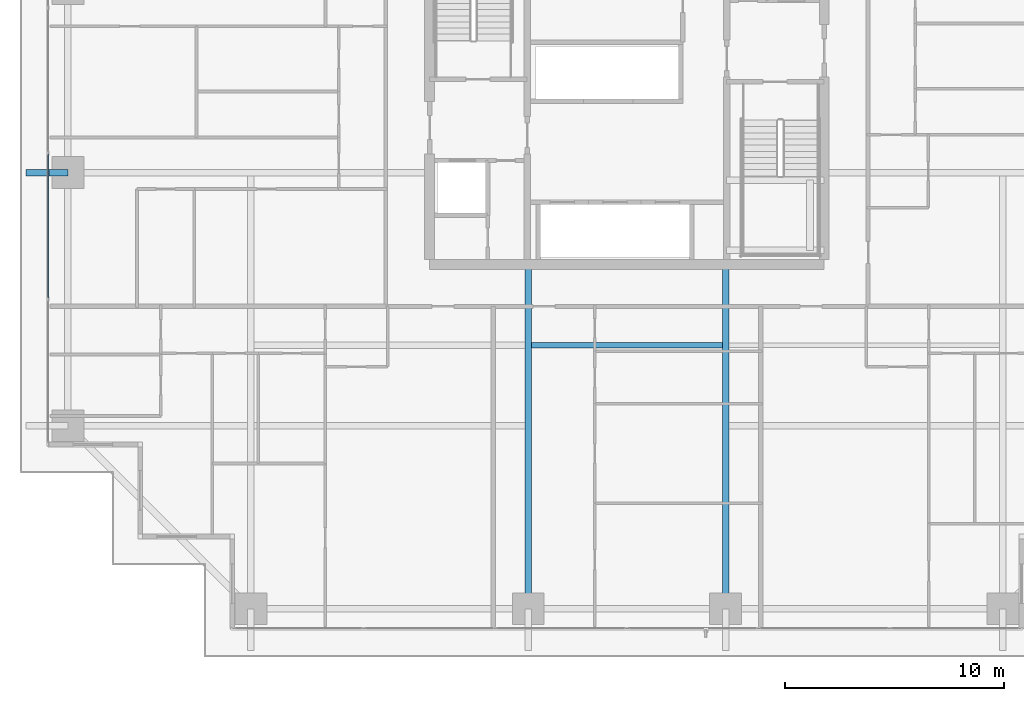
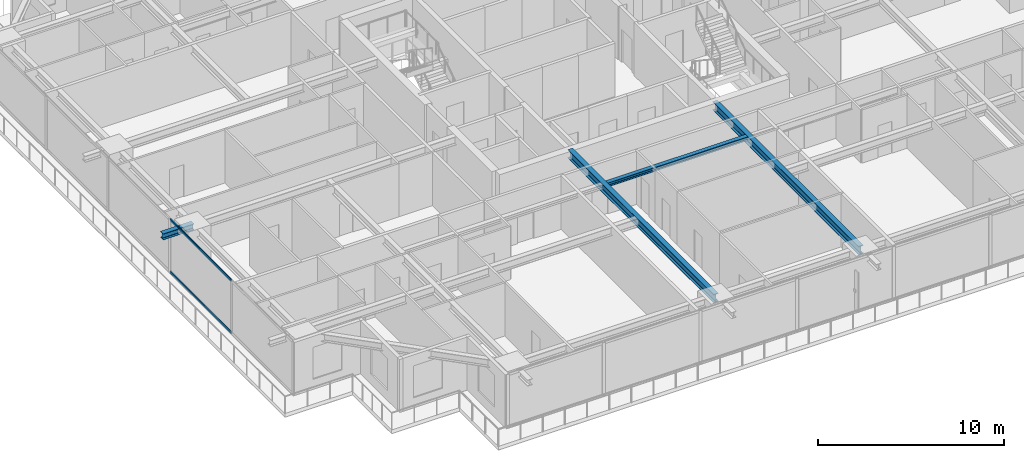
# One storey, part 6 of 38: 4 beams, 2 members, 1 element without a shape of its own.
"""IFC4 building model written with IfcOpenShell, lengths in metres."""

import ifcopenshell
import ifcopenshell.guid

model = None  # the IFC model being written
_history = None  # IfcOwnerHistory: only IFC2X3 demands one
_inside = {}  # id of a spatial element -> (the spatial element, [elements in it])
_under = {}  # id of a project, library or spatial element -> (it, [spatial elements below it])
_declared = {}  # id of a project -> (the project, [libraries it declares])
_typed = {}  # id of a type object -> (the type object, [elements of that type])
_made_of = {}  # id of a material, layer set ... -> (it, [elements and type objects made of it])


def new_model(schema):
    """Start an empty IFC model of exactly this schema.

    Asked for "IFC4X3", IfcOpenShell would pick the latest addendum, in which some entities
    have other attributes; the version numbers below select the first issue.
    IFC2X3 requires an IfcOwnerHistory on every rooted entity: one is made here for all.
    """
    global model, _history
    if schema == "IFC4X3":
        model = ifcopenshell.file(schema_version=(4, 3, 0, 0))
    else:
        model = ifcopenshell.file(schema=schema)
    _inside.clear()
    _under.clear()
    _declared.clear()
    _typed.clear()
    _made_of.clear()
    _history = None
    if model.schema == "IFC2X3":
        org = make("IfcOrganization", Name="unknown")
        user = make(
            "IfcPersonAndOrganization",
            ThePerson=make("IfcPerson", FamilyName="unknown"),
            TheOrganization=org,
        )
        app = make(
            "IfcApplication",
            ApplicationDeveloper=org,
            Version="unknown",
            ApplicationFullName="unknown",
            ApplicationIdentifier="unknown",
        )
        _history = make(
            "IfcOwnerHistory",
            OwningUser=user,
            OwningApplication=app,
            ChangeAction="ADDED",
            CreationDate=0,
        )
    return model


def make(cls, **values):
    """One entity of the class cls with the attributes given. An attribute that is None is left unset."""
    return model.create_entity(
        cls, **{name: value for name, value in values.items() if value is not None}
    )


def rooted(cls, **values):
    """An entity with a GlobalId (a new one), such as an element, a storey or a relation."""
    return make(cls, GlobalId=ifcopenshell.guid.new(), OwnerHistory=_history, **values)


def si_unit(unit_type, name, prefix=None):
    """IfcSIUnit, for example si_unit("LENGTHUNIT", "METRE", prefix="MILLI")."""
    return make("IfcSIUnit", UnitType=unit_type, Prefix=prefix, Name=name)


def assignment(units):
    """IfcUnitAssignment: the units of a project."""
    return None if units is None else make("IfcUnitAssignment", Units=units)


def point(xyz):
    """IfcCartesianPoint."""
    return None if xyz is None else make("IfcCartesianPoint", Coordinates=xyz)


def direction(xyz):
    """IfcDirection."""
    return None if xyz is None else make("IfcDirection", DirectionRatios=xyz)


def frame(location, z_axis=None, x_axis=None):
    """IfcAxis2Placement3D, a coordinate frame: its origin and axes. An axis left out is left unset."""
    return make(
        "IfcAxis2Placement3D",
        Location=point(location),
        Axis=direction(z_axis),
        RefDirection=direction(x_axis),
    )


def frame_2d(location, x_axis=None):
    """IfcAxis2Placement2D, a coordinate frame in the plane: its origin and x axis."""
    return make(
        "IfcAxis2Placement2D", Location=point(location), RefDirection=direction(x_axis)
    )


def origin():
    """The frame at (0, 0, 0) with its axes left unset."""
    return frame((0.0, 0.0, 0.0))


def origin_2d():
    """The frame at (0, 0) in the plane with its x axis left unset."""
    return frame_2d((0.0, 0.0))


def place(relative_to, where):
    """IfcLocalPlacement: puts the frame where relative to a parent placement (None: the world)."""
    return make(
        "IfcLocalPlacement", PlacementRelTo=relative_to, RelativePlacement=where
    )


def context(
    kind, dimensions, precision=None, world=None, true_north=None, identifier=None
):
    """IfcGeometricRepresentationContext, for example the 3D "Model" context."""
    return make(
        "IfcGeometricRepresentationContext",
        ContextIdentifier=identifier,
        ContextType=kind,
        CoordinateSpaceDimension=dimensions,
        Precision=precision,
        WorldCoordinateSystem=world,
        TrueNorth=true_north,
    )


def subcontext(parent, identifier, kind, view, scale=None):
    """IfcGeometricRepresentationSubContext, for example "Body" below "Model"."""
    return make(
        "IfcGeometricRepresentationSubContext",
        ContextIdentifier=identifier,
        ContextType=kind,
        ParentContext=parent,
        TargetScale=scale,
        TargetView=view,
    )


def project(units=None, contexts=None):
    """IfcProject with its units and contexts."""
    return rooted(
        "IfcProject",
        Name="project",
        RepresentationContexts=contexts,
        UnitsInContext=assignment(units),
    )


def spatial(cls, under=None, at=None, **own):
    """A site, building, storey or space (cls), placed at a placement, below another one or the project."""
    s = rooted(cls, ObjectPlacement=at, **own)
    if under is not None:
        _under.setdefault(under.id(), (under, []))[1].append(s)
    return s


def profile(cls, at=None, kind="AREA", **sizes):
    """A parametric profile (cls). Its sizes go by their IFC names, for example OverallWidth=200.0."""
    return make(cls, ProfileType=kind, Position=at, **sizes)


def hollow_rectangle(**sizes):
    """IfcRectangleHollowProfileDef."""
    return profile("IfcRectangleHollowProfileDef", **sizes)


def i_section(**sizes):
    """IfcIShapeProfileDef."""
    return profile("IfcIShapeProfileDef", **sizes)


def extrude(swept, where, along, depth):
    """IfcExtrudedAreaSolid: the profile swept, set in the frame where, extruded along a direction by depth."""
    return make(
        "IfcExtrudedAreaSolid",
        SweptArea=swept,
        Position=where,
        ExtrudedDirection=direction(along),
        Depth=depth,
    )


def shape(context_of_items, identifier, shape_type, items):
    """IfcShapeRepresentation: the items that make up one representation, for example the "Body"."""
    return make(
        "IfcShapeRepresentation",
        ContextOfItems=context_of_items,
        RepresentationIdentifier=identifier,
        RepresentationType=shape_type,
        Items=items,
    )


def source(mapping_origin, context_of_items, identifier, shape_type, items):
    """IfcRepresentationMap: a shape defined once, which mapped items show again and again."""
    return make(
        "IfcRepresentationMap",
        MappingOrigin=mapping_origin,
        MappedRepresentation=shape(context_of_items, identifier, shape_type, items),
    )


def transform(
    local_origin,
    x_axis=None,
    y_axis=None,
    z_axis=None,
    scale=None,
    scale2=None,
    scale3=None,
    uniform=True,
):
    """IfcCartesianTransformationOperator3D, or its non-uniform kind. x_axis, y_axis, z_axis: its Axis1, 2, 3."""
    if uniform:
        return make(
            "IfcCartesianTransformationOperator3D",
            Axis1=direction(x_axis),
            Axis2=direction(y_axis),
            LocalOrigin=point(local_origin),
            Scale=scale,
            Axis3=direction(z_axis),
        )
    return make(
        "IfcCartesianTransformationOperator3DnonUniform",
        Axis1=direction(x_axis),
        Axis2=direction(y_axis),
        LocalOrigin=point(local_origin),
        Scale=scale,
        Axis3=direction(z_axis),
        Scale2=scale2,
        Scale3=scale3,
    )


def mapped(mapping_source, mapping_target):
    """IfcMappedItem: shows the shape of a source again, moved by a transform."""
    return make(
        "IfcMappedItem", MappingSource=mapping_source, MappingTarget=mapping_target
    )


def material(Name=None, Category=None):
    """IfcMaterial."""
    return make("IfcMaterial", Name=Name, Category=Category)


def layer(
    of_material, thickness, ventilated=None, Name=None, Category=None, Priority=None
):
    """IfcMaterialLayer: one layer of a wall or slab, of a material (None: an air gap)."""
    return make(
        "IfcMaterialLayer",
        Material=of_material,
        LayerThickness=thickness,
        IsVentilated=ventilated,
        Name=Name,
        Category=Category,
        Priority=Priority,
    )


def layer_set(layers, Name=None):
    """IfcMaterialLayerSet."""
    return make("IfcMaterialLayerSet", MaterialLayers=layers, LayerSetName=Name)


def material_profile(
    of_material, cross_section, Name=None, Category=None, Priority=None
):
    """IfcMaterialProfile: a cross section and its material."""
    return make(
        "IfcMaterialProfile",
        Name=Name,
        Material=of_material,
        Profile=cross_section,
        Priority=Priority,
        Category=Category,
    )


def profile_set(profiles, Name=None, composite=None):
    """IfcMaterialProfileSet."""
    return make(
        "IfcMaterialProfileSet",
        Name=Name,
        MaterialProfiles=profiles,
        CompositeProfile=composite,
    )


def made_of(thing, what):
    """Note that an element or type object is made of a material, layer set ...; save() writes the relation."""
    if what is not None:
        _made_of.setdefault(what.id(), (what, []))[1].append(thing)
    return thing


def type_object(cls, material=None, **own):
    """A type object (cls), such as IfcWallType, which elements share."""
    return made_of(rooted(cls, **own), material)


def element(
    cls,
    number,
    at=None,
    inside=None,
    cuts=None,
    type_object=None,
    material=None,
    context=None,
    identifier="Body",
    shape_type=None,
    held_by="IfcProductDefinitionShape",
    body=None,
    shapes=None,
    **own,
):
    """One element of the class cls, such as IfcWall. Its Tag is "e" and its number.

    at: its placement. inside: the storey or other place that contains it. cuts: it is an
    opening in that element (IfcRelVoidsElement). A single representation is given by context,
    identifier, shape_type and body (its items); several are given by shapes. held_by: the class
    of the entity that holds the representations. save() writes the other relations.
    """
    e = rooted(cls, Tag="e%d" % number, ObjectPlacement=at, **own)
    if body is not None:
        shapes = [shape(context, identifier, shape_type, body)]
    if shapes is not None:
        e.Representation = make(held_by, Representations=shapes)
    if inside is not None:
        _inside.setdefault(inside.id(), (inside, []))[1].append(e)
    if cuts is not None:
        rooted(
            "IfcRelVoidsElement", RelatingBuildingElement=cuts, RelatedOpeningElement=e
        )
    if type_object is not None:
        _typed.setdefault(type_object.id(), (type_object, []))[1].append(e)
    return made_of(e, material)


def aggregate(whole, parts):
    """IfcRelAggregates: a whole, such as a stair, and the parts it consists of."""
    return rooted("IfcRelAggregates", RelatingObject=whole, RelatedObjects=parts)


def save(model, path):
    """Write the relations noted so far, then the file.

    IfcRelAggregates (storeys below a building ...), IfcRelContainedInSpatialStructure (elements
    in a storey), IfcRelDefinesByType, IfcRelAssociatesMaterial and IfcRelDeclares: one each for
    every whole, place, type object, material and project.
    """
    for whole, parts in _under.values():
        aggregate(whole, parts)
    for where, things in _inside.values():
        rooted(
            "IfcRelContainedInSpatialStructure",
            RelatedElements=things,
            RelatingStructure=where,
        )
    for kind, things in _typed.values():
        rooted("IfcRelDefinesByType", RelatedObjects=things, RelatingType=kind)
    for what, things in _made_of.values():
        rooted("IfcRelAssociatesMaterial", RelatedObjects=things, RelatingMaterial=what)
    for by, libraries in _declared.values():
        rooted("IfcRelDeclares", RelatingContext=by, RelatedDefinitions=libraries)
    model.write(path)


model = new_model("IFC4")

# Units and contexts
model_context = context("Model", 3, precision=1e-05, world=origin(), true_north=direction((0.0, 1.0)))
body_context = subcontext(model_context, "Body", "Model", "MODEL_VIEW")
ifc_project = project(units=[si_unit("LENGTHUNIT", "METRE"), si_unit("AREAUNIT", "SQUARE_METRE"), si_unit("VOLUMEUNIT", "CUBIC_METRE"), si_unit("PLANEANGLEUNIT", "RADIAN"), si_unit("MASSUNIT", "GRAM", prefix="KILO")], contexts=[model_context])

# Site, building, storey
site_placement = place(None, origin())
site = spatial("IfcSite", under=ifc_project, at=site_placement, CompositionType="ELEMENT")
building_placement = place(site_placement, origin())
building = spatial("IfcBuilding", under=site, at=building_placement, Name="Serunith Strait Residences", CompositionType="ELEMENT")
storey_placement = place(building_placement, frame((0.0, 0.0, 30.449951171875)))
storey = spatial("IfcBuildingStorey", under=building, at=storey_placement, Name="L06", CompositionType="ELEMENT", Elevation=30.449951171875)

# Beams
ifc_material_1 = material(Name="Steel S355J2", Category="steel")
ifc_material_profile_1 = material_profile(ifc_material_1, i_section(OverallWidth=0.300048828125, OverallDepth=0.550048828125, WebThickness=0.014892578125, FlangeThickness=0.029052734375, FilletRadius=0.027099609375, at=origin_2d()), Name="HEB 550")
ifc_profile_set_1 = profile_set([ifc_material_profile_1], Name="Steel S355J2")
beam_type_1 = type_object("IfcBeamType", Name="BM-HEB550", PredefinedType="BEAM", material=ifc_profile_set_1)
shared_shape_1 = source(origin(), body_context, "Body", "SweptSolid", [
    extrude(i_section(OverallWidth=0.300048828125, OverallDepth=0.550048828125, WebThickness=0.014892578125, FlangeThickness=0.029052734375, FilletRadius=0.027099609375, at=origin_2d()), origin(), (0.0, 0.0, 1.0), 15.699951171875),
])
for number, where, z_axis, x_axis, name in (
    (1, (27.89990234375, 16.800048828125, 3.212158203125), (0.0, -1.0, 0.0), (1.0, 0.0, 0.0), "L06 Primary Floor Girder TC-S2"),
    (2, (36.89990234375, 16.800048828125, 3.212158203125), (0.0, -1.0, 0.0), (1.0, 0.0, 0.0), "L06 Primary Floor Girder TC-S3"),
):
    element("IfcBeam", number, at=place(storey_placement, frame(where, z_axis=z_axis, x_axis=x_axis)), inside=storey, type_object=beam_type_1, Name=name, PredefinedType="BEAM", context=body_context, shape_type="MappedRepresentation", body=[
        mapped(shared_shape_1, transform((0.0, 0.0, 0.0), scale=1.0)),
    ])
ifc_material_profile_2 = material_profile(ifc_material_1, i_section(OverallWidth=0.260009765625, OverallDepth=0.260009765625, WebThickness=0.010009765625, FlangeThickness=0.017578125, FilletRadius=0.02392578125, at=origin_2d()), Name="HEB 260")
ifc_profile_set_2 = profile_set([ifc_material_profile_2], Name="Steel S355J2")
beam_type_2 = type_object("IfcBeamType", Name="BM-HEB260", PredefinedType="JOIST", material=ifc_profile_set_2)
shared_shape_2 = source(origin(), body_context, "Body", "SweptSolid", [
    extrude(i_section(OverallWidth=0.260009765625, OverallDepth=0.260009765625, WebThickness=0.010009765625, FlangeThickness=0.017578125, FilletRadius=0.02392578125, at=origin_2d()), origin(), (0.0, 0.0, 1.0), 8.699951171875),
])
beam_1_placement = place(storey_placement, frame((28.050048828125, 13.125, 3.35693359375), z_axis=(1.0, 0.0, 0.0), x_axis=(0.0, 1.0, 0.0)))
element("IfcBeam", 3, at=beam_1_placement, inside=storey, type_object=beam_type_2, Name="L06 Composite Floor Joist 02", PredefinedType="JOIST", context=body_context, shape_type="MappedRepresentation", body=[
    mapped(shared_shape_2, transform((0.0, 0.0, 0.0), scale=1.0)),
])
ifc_material_profile_3 = material_profile(ifc_material_1, i_section(OverallWidth=0.300048828125, OverallDepth=0.39990234375, WebThickness=0.013427734375, FlangeThickness=0.02392578125, FilletRadius=0.027099609375, at=origin_2d()), Name="HEB 400")
ifc_profile_set_3 = profile_set([ifc_material_profile_3], Name="Steel S355J2")
beam_type_3 = type_object("IfcBeamType", Name="BM-HEB400", PredefinedType="BEAM", material=ifc_profile_set_3)
shared_shape_3 = source(origin(), body_context, "Body", "SweptSolid", [
    extrude(i_section(OverallWidth=0.300048828125, OverallDepth=0.39990234375, WebThickness=0.013427734375, FlangeThickness=0.02392578125, FilletRadius=0.027099609375, at=origin_2d()), origin(), (0.0, 0.0, 1.0), 1.909912109375),
])
beam_2_placement = place(storey_placement, frame((6.89990234375, 21.0, 3.257080078125), z_axis=(-1.0, 0.0, 0.0), x_axis=(0.0, -1.0, 0.0)))
element("IfcBeam", 4, at=beam_2_placement, inside=storey, type_object=beam_type_3, Name="L07 Cantilevered Balcony Rib TC-W2", PredefinedType="BEAM", context=body_context, shape_type="MappedRepresentation", body=[
    mapped(shared_shape_3, transform((0.0, 0.0, 0.0), scale=1.0)),
])

# Curtain wall, members
ifc_material_2 = material(Name="Pale-Champagne Anodised Aluminium", Category="aluminium")
ifc_layer = layer(ifc_material_2, 0.199951171875, Name="Pale-Champagne Anodised Aluminium")
ifc_layer_set = layer_set([ifc_layer], Name="Pale-Champagne Anodised Aluminium")
curtain_wall_type = type_object("IfcCurtainWallType", Name="CW-SYS1", PredefinedType="NOTDEFINED", material=ifc_layer_set)
curtain_wall_placement = place(storey_placement, origin())
curtain_wall = element("IfcCurtainWall", 5, at=curtain_wall_placement, inside=storey, type_object=curtain_wall_type, Name="L06 W Unitised Fritted Curtain Wall", PredefinedType="NOTDEFINED")
ifc_material_profile_4 = material_profile(ifc_material_2, hollow_rectangle(XDim=0.06005859375, YDim=0.159912109375, WallThickness=0.00341796875, InnerFilletRadius=0.00537109375, OuterFilletRadius=0.0087890625, at=origin_2d()), Name="ALU 160x60x3.5")
ifc_profile_set_4 = profile_set([ifc_material_profile_4], Name="Pale-Champagne Anodised Aluminium")
member_type = type_object("IfcMemberType", Name="CW-SYS1-TRAN", PredefinedType="USERDEFINED", material=ifc_profile_set_4)
shared_shape_4 = source(origin(), body_context, "Body", "SweptSolid", [
    extrude(hollow_rectangle(XDim=0.06005859375, YDim=0.159912109375, WallThickness=0.00341796875, InnerFilletRadius=0.00537109375, OuterFilletRadius=0.0087890625, at=origin_2d()), origin(), (0.0, 0.0, 1.0), 6.570068359375),
])
member_1_placement = place(storey_placement, frame((6.0, 21.844970703125, 0.030029296875), z_axis=(0.0, -1.0, 0.0), x_axis=(1.0, 0.0, 0.0)))
member_1 = element("IfcMember", 6, at=member_1_placement, type_object=member_type, Name="CW-1 transom 4.1", ObjectType="TRANSOM", PredefinedType="USERDEFINED", context=body_context, shape_type="MappedRepresentation", body=[
    mapped(shared_shape_4, transform((0.0, 0.0, 0.0), scale=1.0)),
])
member_2_placement = place(storey_placement, frame((6.0, 21.844970703125, 3.445068359375), z_axis=(0.0, -1.0, 0.0), x_axis=(1.0, 0.0, 0.0)))
member_2 = element("IfcMember", 7, at=member_2_placement, type_object=member_type, Name="CW-1 transom 4.2", ObjectType="TRANSOM", PredefinedType="USERDEFINED", context=body_context, shape_type="MappedRepresentation", body=[
    mapped(shared_shape_4, transform((0.0, 0.0, 0.0), scale=1.0)),
])
aggregate(curtain_wall, [member_1, member_2])

save(model, "model.ifc")
